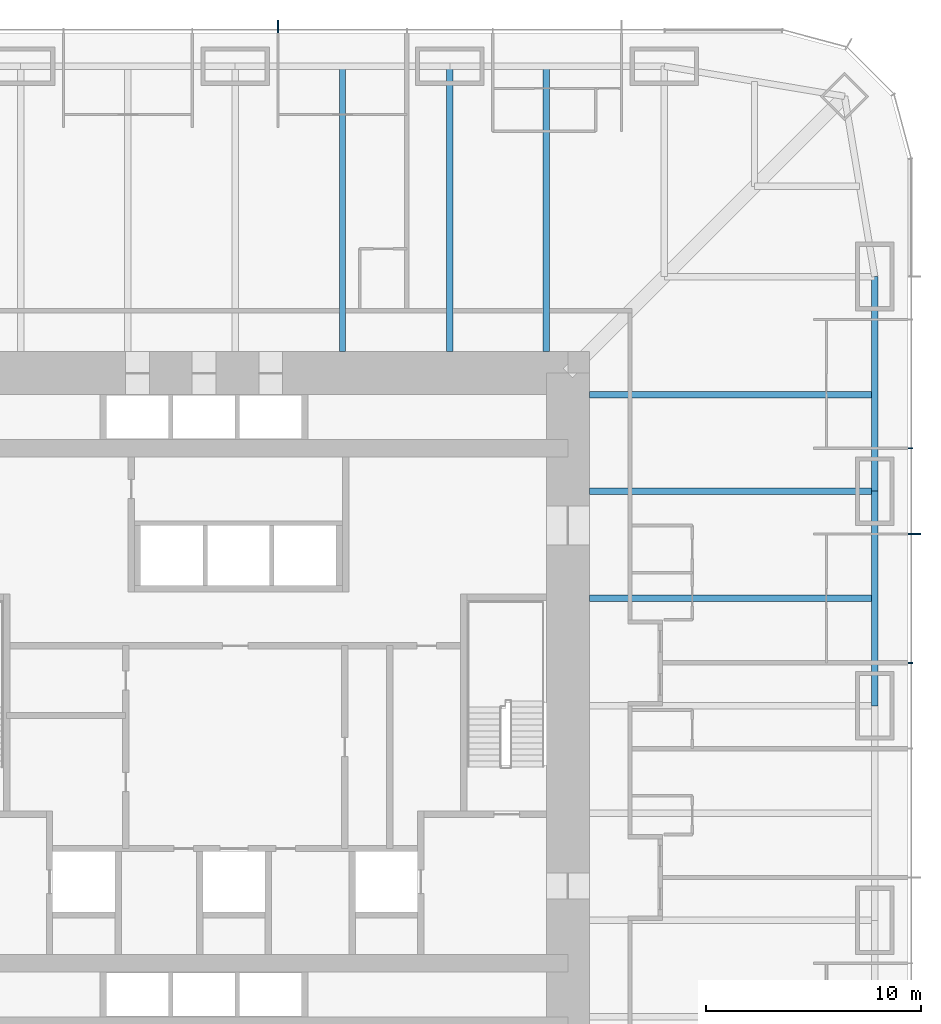
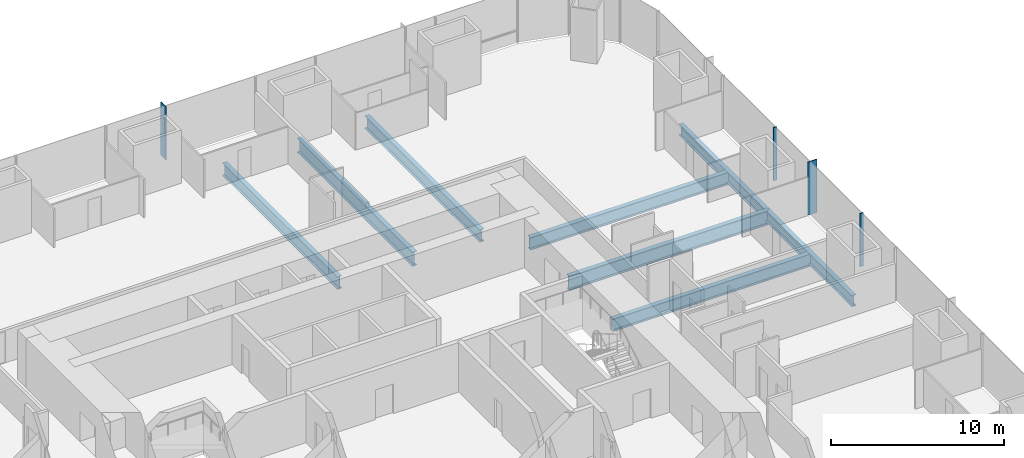
# One storey, part 8 of 17: 8 beams, 4 members, 2 elements without a shape of their own.
"""IFC4 building model written with IfcOpenShell, lengths in metres."""

from ifc_helpers import new_model, si_unit, direction, frame, origin, origin_2d, place, context, subcontext, project, spatial, rectangle, i_section, extrude, material, material_profile, profile_set, type_object, element, aggregate, save


model = new_model("IFC4")

# Units and contexts
model_context = context("Model", 3, precision=1e-05, world=origin(), true_north=direction((0.0, 1.0)))
body_context = subcontext(model_context, "Body", "Model", "MODEL_VIEW")
ifc_project = project(units=[si_unit("LENGTHUNIT", "METRE"), si_unit("AREAUNIT", "SQUARE_METRE"), si_unit("VOLUMEUNIT", "CUBIC_METRE"), si_unit("PLANEANGLEUNIT", "RADIAN"), si_unit("MASSUNIT", "GRAM", prefix="KILO")], contexts=[model_context])

# Site, building, storey
site_placement = place(None, origin())
site = spatial("IfcSite", under=ifc_project, at=site_placement, CompositionType="ELEMENT")
building_placement = place(site_placement, origin())
building = spatial("IfcBuilding", under=site, at=building_placement, Name="Khuree Lantern Residences", CompositionType="ELEMENT")
storey_placement = place(building_placement, frame((0.0, 0.0, 58.5)))
storey = spatial("IfcBuildingStorey", under=building, at=storey_placement, Name="L14", CompositionType="ELEMENT", Elevation=58.5)

# Beams
ifc_material_1 = material(Name="Steel S355", Category="steel")
ifc_material_profile_1 = material_profile(ifc_material_1, i_section(OverallWidth=0.300048828125, OverallDepth=0.889892578125, WebThickness=0.01611328125, FlangeThickness=0.030029296875, FilletRadius=0.030029296875, at=origin_2d()), Name="HE 900 A")
ifc_profile_set_1 = profile_set([ifc_material_profile_1], Name="Steel S355")
beam_type_1 = type_object("IfcBeamType", Name="B-13 SECONDARY BEAM HE 900 A", PredefinedType="BEAM", material=ifc_profile_set_1)
for number, where, z_axis, x_axis, name in (
    (1, (5.0, 29.800048828125, -0.695068359375), (0.0, -1.0, 0.0), (1.0, 0.0, 0.0), "Secondary beam N3"),
    (2, (14.5, 29.800048828125, -0.695068359375), (0.0, -1.0, 0.0), (1.0, 0.0, 0.0), "Secondary beam N4"),
    (3, (29.800048828125, 14.5, -0.695068359375), (-1.0, 0.0, 0.0), (0.0, -1.0, 0.0), "Secondary beam E2"),
    (4, (29.800048828125, 5.0, -0.695068359375), (-1.0, 0.0, 0.0), (0.0, -1.0, 0.0), "Secondary beam E3"),
):
    element("IfcBeam", number, at=place(storey_placement, frame(where, z_axis=z_axis, x_axis=x_axis)), inside=storey, type_object=beam_type_1, Name=name, PredefinedType="BEAM", context=body_context, shape_type="SweptSolid", body=[
        extrude(i_section(OverallWidth=0.300048828125, OverallDepth=0.889892578125, WebThickness=0.01611328125, FlangeThickness=0.030029296875, FilletRadius=0.030029296875, at=origin_2d()), origin(), (0.0, 0.0, 1.0), 13.300048828125),
    ])
ifc_material_profile_2 = material_profile(ifc_material_1, i_section(OverallWidth=0.300048828125, OverallDepth=0.7900390625, WebThickness=0.014892578125, FlangeThickness=0.028076171875, FilletRadius=0.030029296875, at=origin_2d()), Name="HE 800 A")
ifc_profile_set_2 = profile_set([ifc_material_profile_2], Name="Steel S355")
beam_type_2 = type_object("IfcBeamType", Name="E-13 SPANDREL BEAM HE 800 A", PredefinedType="SPANDREL", material=ifc_profile_set_2)
for number, where, z_axis, x_axis, name in (
    (5, (29.800048828125, 20.0, -0.64501953125), (0.0, -1.0, 0.0), (1.0, 0.0, 0.0), "Spandrel beam E2"),
    (6, (29.800048828125, 10.0, -0.64501953125), (0.0, -1.0, 0.0), (1.0, 0.0, 0.0), "Spandrel beam E3"),
):
    element("IfcBeam", number, at=place(storey_placement, frame(where, z_axis=z_axis, x_axis=x_axis)), inside=storey, type_object=beam_type_2, Name=name, PredefinedType="SPANDREL", context=body_context, shape_type="SweptSolid", body=[
        extrude(i_section(OverallWidth=0.300048828125, OverallDepth=0.7900390625, WebThickness=0.014892578125, FlangeThickness=0.028076171875, FilletRadius=0.030029296875, at=origin_2d()), origin(), (0.0, 0.0, 1.0), 10.0),
    ])

# Curtain wall, member
ifc_material_2 = material(Name="Bronze anodised aluminium", Category="aluminium")
curtain_wall_type = type_object("IfcCurtainWallType", Name="CW-T1 TOWER FACE CURTAIN WALL", PredefinedType="USERDEFINED", material=ifc_material_2)
curtain_wall_1_placement = place(storey_placement, origin())
curtain_wall_1 = element("IfcCurtainWall", 7, at=curtain_wall_1_placement, inside=storey, type_object=curtain_wall_type, Name="L14 EAST FACE CURTAIN WALL", ObjectType="Stick-built curtain wall", PredefinedType="USERDEFINED")
ifc_material_profile_3 = material_profile(ifc_material_2, rectangle(XDim=0.06494140625, YDim=0.60009765625, at=origin_2d()), Name="F1 65X600")
ifc_profile_set_3 = profile_set([ifc_material_profile_3], Name="Bronze anodised aluminium")
member_type_1 = type_object("IfcMemberType", Name="F1 BRONZE FIN MULLION TOWER 65X600", PredefinedType="MULLION", material=ifc_profile_set_3)
member_1_placement = place(storey_placement, frame((31.64990234375, 8.0, 0.0), z_axis=(0.0, 0.0, 1.0), x_axis=(0.0, 1.0, 0.0)))
member_1 = element("IfcMember", 8, at=member_1_placement, type_object=member_type_1, Name="L14 EAST FACE FIN MULLION 11", PredefinedType="MULLION", context=body_context, shape_type="SweptSolid", body=[
    extrude(rectangle(XDim=0.06494140625, YDim=0.60009765625, at=origin_2d()), origin(), (0.0, 0.0, 1.0), 3.75),
])

curtain_wall_2_placement = place(storey_placement, origin())
curtain_wall_2 = element("IfcCurtainWall", 9, at=curtain_wall_2_placement, inside=storey, type_object=curtain_wall_type, Name="L14 NORTH FACE CURTAIN WALL", ObjectType="Stick-built curtain wall", PredefinedType="USERDEFINED")
member_2_placement = place(storey_placement, frame((2.0, 31.64990234375, 0.0), z_axis=(0.0, 0.0, 1.0), x_axis=(-1.0, 0.0, 0.0)))
member_2 = element("IfcMember", 10, at=member_2_placement, type_object=member_type_1, Name="L14 NORTH FACE FIN MULLION 23", PredefinedType="MULLION", context=body_context, shape_type="SweptSolid", body=[
    extrude(rectangle(XDim=0.06494140625, YDim=0.60009765625, at=origin_2d()), origin(), (0.0, 0.0, 1.0), 3.75),
])
aggregate(curtain_wall_2, [member_2])

# Beams
ifc_material_profile_4 = material_profile(ifc_material_1, i_section(OverallWidth=0.302001953125, OverallDepth=1.008056640625, WebThickness=0.02099609375, FlangeThickness=0.0400390625, FilletRadius=0.030029296875, at=origin_2d()), Name="HE 1000 M")
ifc_profile_set_4 = profile_set([ifc_material_profile_4], Name="Steel S355")
beam_type_3 = type_object("IfcBeamType", Name="G-13 GIRDER HE 1000 M", PredefinedType="BEAM", material=ifc_profile_set_4)
for number, where, z_axis, x_axis, name in (
    (11, (10.0, 29.800048828125, -0.75390625), (0.0, -1.0, 0.0), (1.0, 0.0, 0.0), "Girder N4"),
    (12, (29.800048828125, 10.0, -0.75390625), (-1.0, 0.0, 0.0), (0.0, -1.0, 0.0), "Girder E2"),
):
    element("IfcBeam", number, at=place(storey_placement, frame(where, z_axis=z_axis, x_axis=x_axis)), inside=storey, type_object=beam_type_3, Name=name, PredefinedType="BEAM", context=body_context, shape_type="SweptSolid", body=[
        extrude(i_section(OverallWidth=0.302001953125, OverallDepth=1.008056640625, WebThickness=0.02099609375, FlangeThickness=0.0400390625, FilletRadius=0.030029296875, at=origin_2d()), origin(), (0.0, 0.0, 1.0), 13.300048828125),
    ])

# Member
ifc_material_profile_5 = material_profile(ifc_material_2, rectangle(XDim=0.06494140625, YDim=0.219970703125, at=origin_2d()), Name="M1 65X220")
ifc_profile_set_5 = profile_set([ifc_material_profile_5], Name="Bronze anodised aluminium")
member_type_2 = type_object("IfcMemberType", Name="M1 BRONZE MULLION TOWER 65X220", PredefinedType="MULLION", material=ifc_profile_set_5)
member_3_placement = place(storey_placement, frame((31.4599609375, 2.0, 0.0), z_axis=(0.0, 0.0, 1.0), x_axis=(0.0, 1.0, 0.0)))
member_3 = element("IfcMember", 13, at=member_3_placement, type_object=member_type_2, Name="L14 EAST FACE MULLION 10", PredefinedType="MULLION", context=body_context, shape_type="SweptSolid", body=[
    extrude(rectangle(XDim=0.06494140625, YDim=0.219970703125, at=origin_2d()), origin(), (0.0, 0.0, 1.0), 3.75),
])

member_4_placement = place(storey_placement, frame((31.4599609375, 12.0, 0.0), z_axis=(0.0, 0.0, 1.0), x_axis=(0.0, 1.0, 0.0)))
member_4 = element("IfcMember", 14, at=member_4_placement, type_object=member_type_2, Name="L14 EAST FACE MULLION 12", PredefinedType="MULLION", context=body_context, shape_type="SweptSolid", body=[
    extrude(rectangle(XDim=0.06494140625, YDim=0.219970703125, at=origin_2d()), origin(), (0.0, 0.0, 1.0), 3.75),
])

aggregate(curtain_wall_1, [member_3, member_1, member_4])

save(model, "model.ifc")
